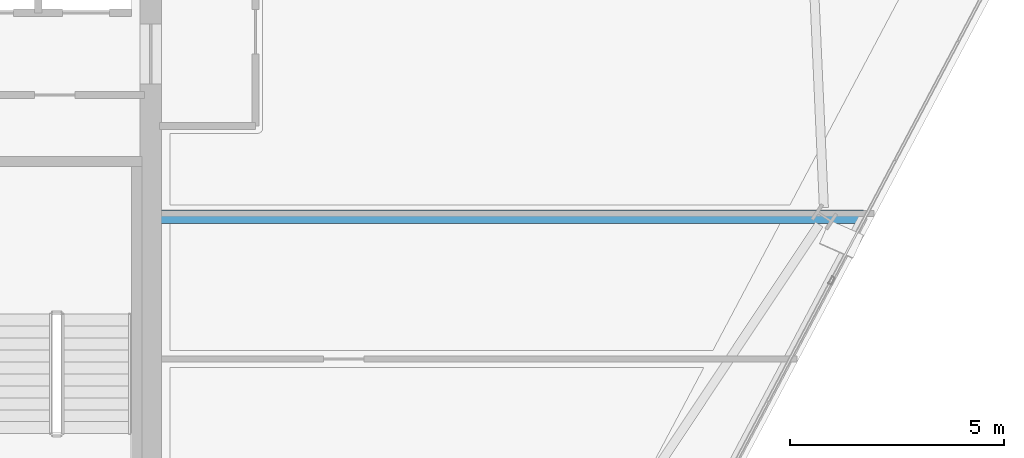
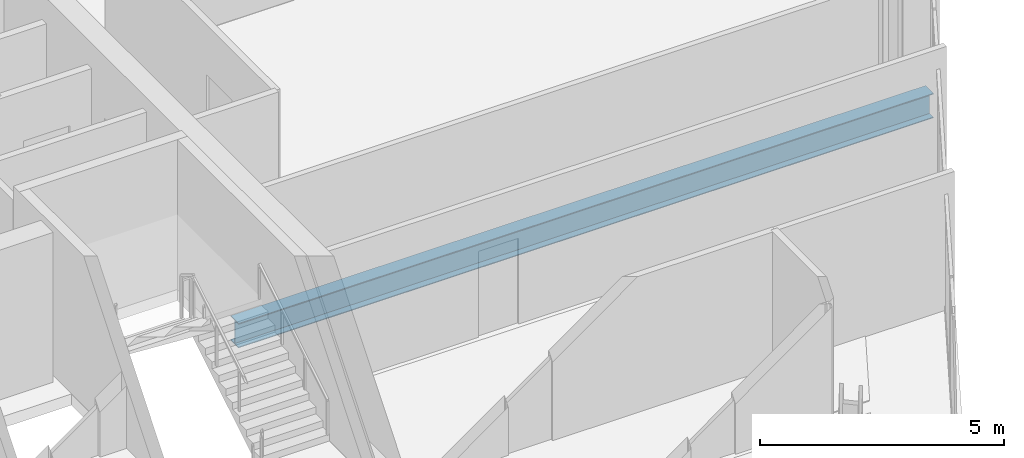
# One storey, part 11 of 28: 1 beam.
"""IFC4 building model written with IfcOpenShell, lengths in metres."""

from ifc_helpers import new_model, si_unit, direction, frame, origin, origin_2d, place, context, subcontext, project, spatial, i_section, extrude, material, material_profile, profile_set, type_object, element, save


model = new_model("IFC4")

# Units and contexts
model_context = context("Model", 3, precision=1e-05, world=origin(), true_north=direction((0.0, 1.0)))
body_context = subcontext(model_context, "Body", "Model", "MODEL_VIEW")
ifc_project = project(units=[si_unit("LENGTHUNIT", "METRE"), si_unit("AREAUNIT", "SQUARE_METRE"), si_unit("VOLUMEUNIT", "CUBIC_METRE"), si_unit("PLANEANGLEUNIT", "RADIAN"), si_unit("MASSUNIT", "GRAM", prefix="KILO")], contexts=[model_context])

# Site, building, storey
site_placement = place(None, origin())
site = spatial("IfcSite", under=ifc_project, at=site_placement, CompositionType="ELEMENT")
building_placement = place(site_placement, origin())
building = spatial("IfcBuilding", under=site, at=building_placement, Name="Haldenkirk Collegiate Tower", CompositionType="ELEMENT")
storey_placement = place(building_placement, frame((0.0, 0.0, 235.949951171875)))
storey = spatial("IfcBuildingStorey", under=building, at=storey_placement, Name="L59", CompositionType="ELEMENT", Elevation=235.949951171875)

# Beam
ifc_material = material(Name="Steel ASTM A992 Grade 50", Category="steel")
ifc_material_profile = material_profile(ifc_material, i_section(OverallWidth=0.324951171875, OverallDepth=0.615966796875, WebThickness=0.013916015625, FlangeThickness=0.021484375, at=origin_2d()), Name="W24X117")
ifc_profile_set = profile_set([ifc_material_profile], Name="Steel ASTM A992 Grade 50")
beam_type = type_object("IfcBeamType", Name="BM-GIRDER-W24X117", PredefinedType="BEAM", material=ifc_profile_set)
beam_placement = place(storey_placement, frame((61.681396484375, 25.12646484375, -0.587890625), z_axis=(-1.0, 0.0, 0.0), x_axis=(0.0, -1.0, 0.0)))
element("IfcBeam", 1, at=beam_placement, inside=storey, type_object=beam_type, Name="L59 primary floor girder 07", PredefinedType="BEAM", context=body_context, shape_type="SweptSolid", body=[
    extrude(i_section(OverallWidth=0.324951171875, OverallDepth=0.615966796875, WebThickness=0.013916015625, FlangeThickness=0.021484375, at=origin_2d()), origin(), (0.0, 0.0, 1.0), 16.451416015625),
])

save(model, "model.ifc")
